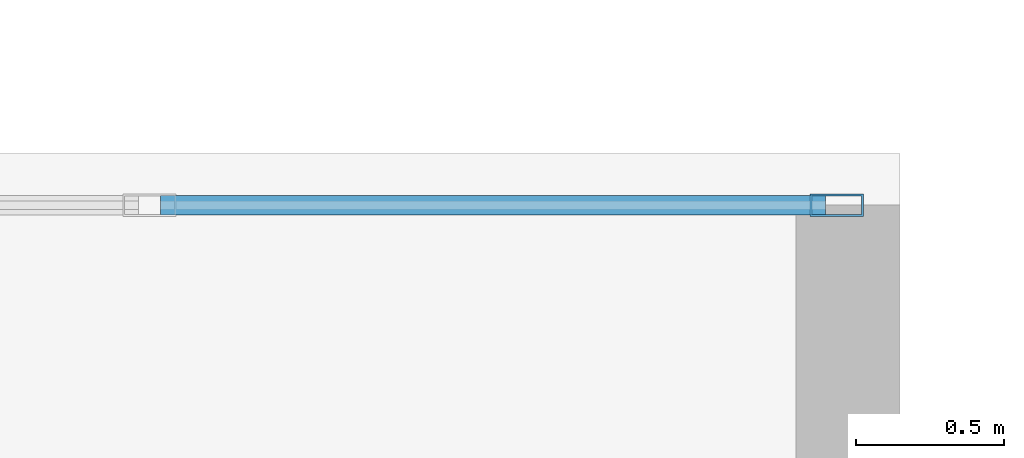
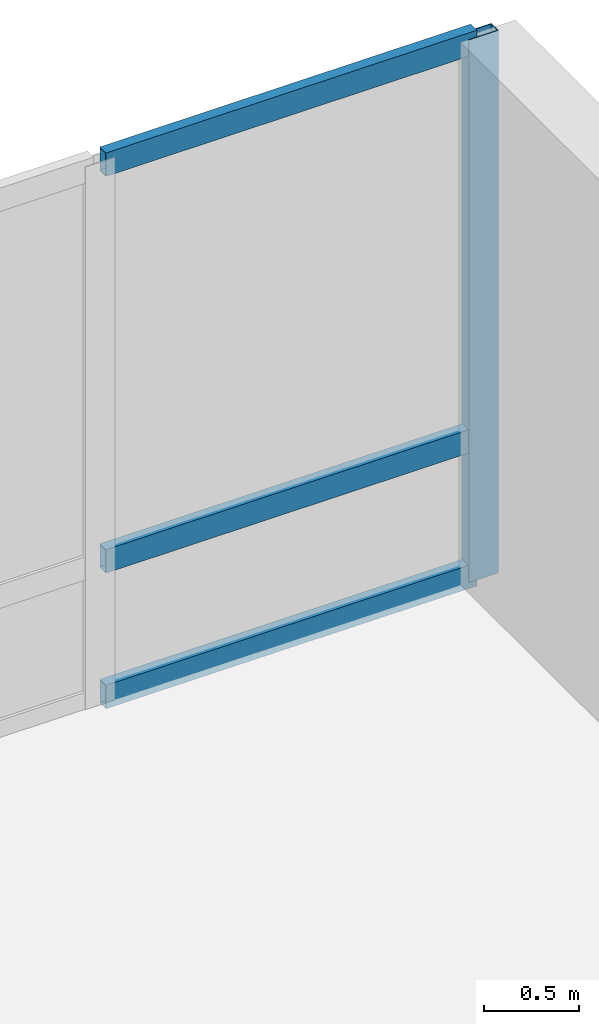
# One storey, part 4 of 17: 4 members, 1 element without a shape of its own.
"""IFC4 building model written with IfcOpenShell, lengths in metres."""

import ifcopenshell
import ifcopenshell.guid

model = None  # the IFC model being written
_history = None  # IfcOwnerHistory: only IFC2X3 demands one
_inside = {}  # id of a spatial element -> (the spatial element, [elements in it])
_under = {}  # id of a project, library or spatial element -> (it, [spatial elements below it])
_declared = {}  # id of a project -> (the project, [libraries it declares])
_typed = {}  # id of a type object -> (the type object, [elements of that type])
_made_of = {}  # id of a material, layer set ... -> (it, [elements and type objects made of it])


def new_model(schema):
    """Start an empty IFC model of exactly this schema.

    Asked for "IFC4X3", IfcOpenShell would pick the latest addendum, in which some entities
    have other attributes; the version numbers below select the first issue.
    IFC2X3 requires an IfcOwnerHistory on every rooted entity: one is made here for all.
    """
    global model, _history
    if schema == "IFC4X3":
        model = ifcopenshell.file(schema_version=(4, 3, 0, 0))
    else:
        model = ifcopenshell.file(schema=schema)
    _inside.clear()
    _under.clear()
    _declared.clear()
    _typed.clear()
    _made_of.clear()
    _history = None
    if model.schema == "IFC2X3":
        org = make("IfcOrganization", Name="unknown")
        user = make(
            "IfcPersonAndOrganization",
            ThePerson=make("IfcPerson", FamilyName="unknown"),
            TheOrganization=org,
        )
        app = make(
            "IfcApplication",
            ApplicationDeveloper=org,
            Version="unknown",
            ApplicationFullName="unknown",
            ApplicationIdentifier="unknown",
        )
        _history = make(
            "IfcOwnerHistory",
            OwningUser=user,
            OwningApplication=app,
            ChangeAction="ADDED",
            CreationDate=0,
        )
    return model


def make(cls, **values):
    """One entity of the class cls with the attributes given. An attribute that is None is left unset."""
    return model.create_entity(
        cls, **{name: value for name, value in values.items() if value is not None}
    )


def rooted(cls, **values):
    """An entity with a GlobalId (a new one), such as an element, a storey or a relation."""
    return make(cls, GlobalId=ifcopenshell.guid.new(), OwnerHistory=_history, **values)


def si_unit(unit_type, name, prefix=None):
    """IfcSIUnit, for example si_unit("LENGTHUNIT", "METRE", prefix="MILLI")."""
    return make("IfcSIUnit", UnitType=unit_type, Prefix=prefix, Name=name)


def assignment(units):
    """IfcUnitAssignment: the units of a project."""
    return None if units is None else make("IfcUnitAssignment", Units=units)


def point(xyz):
    """IfcCartesianPoint."""
    return None if xyz is None else make("IfcCartesianPoint", Coordinates=xyz)


def direction(xyz):
    """IfcDirection."""
    return None if xyz is None else make("IfcDirection", DirectionRatios=xyz)


def frame(location, z_axis=None, x_axis=None):
    """IfcAxis2Placement3D, a coordinate frame: its origin and axes. An axis left out is left unset."""
    return make(
        "IfcAxis2Placement3D",
        Location=point(location),
        Axis=direction(z_axis),
        RefDirection=direction(x_axis),
    )


def frame_2d(location, x_axis=None):
    """IfcAxis2Placement2D, a coordinate frame in the plane: its origin and x axis."""
    return make(
        "IfcAxis2Placement2D", Location=point(location), RefDirection=direction(x_axis)
    )


def origin():
    """The frame at (0, 0, 0) with its axes left unset."""
    return frame((0.0, 0.0, 0.0))


def origin_2d():
    """The frame at (0, 0) in the plane with its x axis left unset."""
    return frame_2d((0.0, 0.0))


def place(relative_to, where):
    """IfcLocalPlacement: puts the frame where relative to a parent placement (None: the world)."""
    return make(
        "IfcLocalPlacement", PlacementRelTo=relative_to, RelativePlacement=where
    )


def context(
    kind, dimensions, precision=None, world=None, true_north=None, identifier=None
):
    """IfcGeometricRepresentationContext, for example the 3D "Model" context."""
    return make(
        "IfcGeometricRepresentationContext",
        ContextIdentifier=identifier,
        ContextType=kind,
        CoordinateSpaceDimension=dimensions,
        Precision=precision,
        WorldCoordinateSystem=world,
        TrueNorth=true_north,
    )


def subcontext(parent, identifier, kind, view, scale=None):
    """IfcGeometricRepresentationSubContext, for example "Body" below "Model"."""
    return make(
        "IfcGeometricRepresentationSubContext",
        ContextIdentifier=identifier,
        ContextType=kind,
        ParentContext=parent,
        TargetScale=scale,
        TargetView=view,
    )


def project(units=None, contexts=None):
    """IfcProject with its units and contexts."""
    return rooted(
        "IfcProject",
        Name="project",
        RepresentationContexts=contexts,
        UnitsInContext=assignment(units),
    )


def spatial(cls, under=None, at=None, **own):
    """A site, building, storey or space (cls), placed at a placement, below another one or the project."""
    s = rooted(cls, ObjectPlacement=at, **own)
    if under is not None:
        _under.setdefault(under.id(), (under, []))[1].append(s)
    return s


def profile(cls, at=None, kind="AREA", **sizes):
    """A parametric profile (cls). Its sizes go by their IFC names, for example OverallWidth=200.0."""
    return make(cls, ProfileType=kind, Position=at, **sizes)


def hollow_rectangle(**sizes):
    """IfcRectangleHollowProfileDef."""
    return profile("IfcRectangleHollowProfileDef", **sizes)


def extrude(swept, where, along, depth):
    """IfcExtrudedAreaSolid: the profile swept, set in the frame where, extruded along a direction by depth."""
    return make(
        "IfcExtrudedAreaSolid",
        SweptArea=swept,
        Position=where,
        ExtrudedDirection=direction(along),
        Depth=depth,
    )


def shape(context_of_items, identifier, shape_type, items):
    """IfcShapeRepresentation: the items that make up one representation, for example the "Body"."""
    return make(
        "IfcShapeRepresentation",
        ContextOfItems=context_of_items,
        RepresentationIdentifier=identifier,
        RepresentationType=shape_type,
        Items=items,
    )


def material(Name=None, Category=None):
    """IfcMaterial."""
    return make("IfcMaterial", Name=Name, Category=Category)


def layer(
    of_material, thickness, ventilated=None, Name=None, Category=None, Priority=None
):
    """IfcMaterialLayer: one layer of a wall or slab, of a material (None: an air gap)."""
    return make(
        "IfcMaterialLayer",
        Material=of_material,
        LayerThickness=thickness,
        IsVentilated=ventilated,
        Name=Name,
        Category=Category,
        Priority=Priority,
    )


def layer_set(layers, Name=None):
    """IfcMaterialLayerSet."""
    return make("IfcMaterialLayerSet", MaterialLayers=layers, LayerSetName=Name)


def material_profile(
    of_material, cross_section, Name=None, Category=None, Priority=None
):
    """IfcMaterialProfile: a cross section and its material."""
    return make(
        "IfcMaterialProfile",
        Name=Name,
        Material=of_material,
        Profile=cross_section,
        Priority=Priority,
        Category=Category,
    )


def profile_set(profiles, Name=None, composite=None):
    """IfcMaterialProfileSet."""
    return make(
        "IfcMaterialProfileSet",
        Name=Name,
        MaterialProfiles=profiles,
        CompositeProfile=composite,
    )


def made_of(thing, what):
    """Note that an element or type object is made of a material, layer set ...; save() writes the relation."""
    if what is not None:
        _made_of.setdefault(what.id(), (what, []))[1].append(thing)
    return thing


def type_object(cls, material=None, **own):
    """A type object (cls), such as IfcWallType, which elements share."""
    return made_of(rooted(cls, **own), material)


def element(
    cls,
    number,
    at=None,
    inside=None,
    cuts=None,
    type_object=None,
    material=None,
    context=None,
    identifier="Body",
    shape_type=None,
    held_by="IfcProductDefinitionShape",
    body=None,
    shapes=None,
    **own,
):
    """One element of the class cls, such as IfcWall. Its Tag is "e" and its number.

    at: its placement. inside: the storey or other place that contains it. cuts: it is an
    opening in that element (IfcRelVoidsElement). A single representation is given by context,
    identifier, shape_type and body (its items); several are given by shapes. held_by: the class
    of the entity that holds the representations. save() writes the other relations.
    """
    e = rooted(cls, Tag="e%d" % number, ObjectPlacement=at, **own)
    if body is not None:
        shapes = [shape(context, identifier, shape_type, body)]
    if shapes is not None:
        e.Representation = make(held_by, Representations=shapes)
    if inside is not None:
        _inside.setdefault(inside.id(), (inside, []))[1].append(e)
    if cuts is not None:
        rooted(
            "IfcRelVoidsElement", RelatingBuildingElement=cuts, RelatedOpeningElement=e
        )
    if type_object is not None:
        _typed.setdefault(type_object.id(), (type_object, []))[1].append(e)
    return made_of(e, material)


def aggregate(whole, parts):
    """IfcRelAggregates: a whole, such as a stair, and the parts it consists of."""
    return rooted("IfcRelAggregates", RelatingObject=whole, RelatedObjects=parts)


def save(model, path):
    """Write the relations noted so far, then the file.

    IfcRelAggregates (storeys below a building ...), IfcRelContainedInSpatialStructure (elements
    in a storey), IfcRelDefinesByType, IfcRelAssociatesMaterial and IfcRelDeclares: one each for
    every whole, place, type object, material and project.
    """
    for whole, parts in _under.values():
        aggregate(whole, parts)
    for where, things in _inside.values():
        rooted(
            "IfcRelContainedInSpatialStructure",
            RelatedElements=things,
            RelatingStructure=where,
        )
    for kind, things in _typed.values():
        rooted("IfcRelDefinesByType", RelatedObjects=things, RelatingType=kind)
    for what, things in _made_of.values():
        rooted("IfcRelAssociatesMaterial", RelatedObjects=things, RelatingMaterial=what)
    for by, libraries in _declared.values():
        rooted("IfcRelDeclares", RelatingContext=by, RelatedDefinitions=libraries)
    model.write(path)


model = new_model("IFC4")

# Units and contexts
model_context = context("Model", 3, precision=1e-05, world=origin(), true_north=direction((0.0, 1.0)))
body_context = subcontext(model_context, "Body", "Model", "MODEL_VIEW")
ifc_project = project(units=[si_unit("LENGTHUNIT", "METRE"), si_unit("AREAUNIT", "SQUARE_METRE"), si_unit("VOLUMEUNIT", "CUBIC_METRE"), si_unit("PLANEANGLEUNIT", "RADIAN"), si_unit("MASSUNIT", "GRAM", prefix="KILO")], contexts=[model_context])

# Site, building, storey
site_placement = place(None, origin())
site = spatial("IfcSite", under=ifc_project, at=site_placement, CompositionType="ELEMENT")
building_placement = place(site_placement, origin())
building = spatial("IfcBuilding", under=site, at=building_placement, Name="Koriwani Terraces Tower", CompositionType="ELEMENT")
storey_placement = place(building_placement, frame((0.0, 0.0, 237.89990234375)))
storey = spatial("IfcBuildingStorey", under=building, at=storey_placement, Name="L58", CompositionType="ELEMENT", Elevation=237.89990234375)

# Curtain wall, members
ifc_material = material(Name="Anodised Bronze Aluminium", Category="aluminium")
ifc_layer = layer(ifc_material, 0.169921875, Name="Anodised Bronze Aluminium")
ifc_layer_set = layer_set([ifc_layer], Name="Anodised Bronze Aluminium")
curtain_wall_type = type_object("IfcCurtainWallType", Name="CW_RES_ZONE4", PredefinedType="NOTDEFINED", material=ifc_layer_set)
curtain_wall_placement = place(storey_placement, origin())
curtain_wall = element("IfcCurtainWall", 1, at=curtain_wall_placement, inside=storey, type_object=curtain_wall_type, Name="L58 Unitised Curtain Wall (N_TIP) Bay 3", PredefinedType="NOTDEFINED")
ifc_material_profile_1 = material_profile(ifc_material, hollow_rectangle(XDim=0.074951171875, YDim=0.179931640625, WallThickness=0.006103515625, at=origin_2d()), Name="Anodised Bronze Aluminium", Category="LoadBearing")
ifc_profile_set_1 = profile_set([ifc_material_profile_1], Name="Anodised Bronze Aluminium")
member_type_1 = type_object("IfcMemberType", Name="CW_MULLION_180X75", PredefinedType="MULLION", material=ifc_profile_set_1)
member_1_placement = place(storey_placement, frame((30.387451171875, 75.425048828125, 0.0), z_axis=(0.0, 0.0, 1.0), x_axis=(0.0, 1.0, 0.0)))
member_1 = element("IfcMember", 2, at=member_1_placement, type_object=member_type_1, Name="CW-Z4 mullion 3", PredefinedType="MULLION", context=body_context, shape_type="SweptSolid", body=[
    extrude(hollow_rectangle(XDim=0.074951171875, YDim=0.179931640625, WallThickness=0.006103515625, at=origin_2d()), origin(), (0.0, 0.0, 1.0), 3.47021484375),
])
ifc_material_profile_2 = material_profile(ifc_material, hollow_rectangle(XDim=0.06494140625, YDim=0.14990234375, WallThickness=0.0048828125, at=origin_2d()), Name="Anodised Bronze Aluminium", Category="LoadBearing")
ifc_profile_set_2 = profile_set([ifc_material_profile_2], Name="Anodised Bronze Aluminium")
member_type_2 = type_object("IfcMemberType", Name="CW_TRANSOM_150X65", PredefinedType="USERDEFINED", material=ifc_profile_set_2)
member_2_placement = place(storey_placement, frame((28.10498046875, 75.425048828125, 0.03271484375), z_axis=(1.0, 0.0, 0.0), x_axis=(0.0, 1.0, 0.0)))
member_2 = element("IfcMember", 3, at=member_2_placement, type_object=member_type_2, Name="CW-Z4 transom 2.1", ObjectType="TRANSOM", PredefinedType="USERDEFINED", context=body_context, shape_type="SweptSolid", body=[
    extrude(hollow_rectangle(XDim=0.06494140625, YDim=0.14990234375, WallThickness=0.0048828125, at=origin_2d()), origin(), (0.0, 0.0, 1.0), 2.2451171875),
])
member_3_placement = place(storey_placement, frame((28.10498046875, 75.425048828125, 0.900146484375), z_axis=(1.0, 0.0, 0.0), x_axis=(0.0, 1.0, 0.0)))
member_3 = element("IfcMember", 4, at=member_3_placement, type_object=member_type_2, Name="CW-Z4 transom 2.2", ObjectType="TRANSOM", PredefinedType="USERDEFINED", context=body_context, shape_type="SweptSolid", body=[
    extrude(hollow_rectangle(XDim=0.06494140625, YDim=0.14990234375, WallThickness=0.0048828125, at=origin_2d()), origin(), (0.0, 0.0, 1.0), 2.2451171875),
])
member_4_placement = place(storey_placement, frame((28.10498046875, 75.425048828125, 3.4375), z_axis=(1.0, 0.0, 0.0), x_axis=(0.0, 1.0, 0.0)))
member_4 = element("IfcMember", 5, at=member_4_placement, type_object=member_type_2, Name="CW-Z4 transom 2.3", ObjectType="TRANSOM", PredefinedType="USERDEFINED", context=body_context, shape_type="SweptSolid", body=[
    extrude(hollow_rectangle(XDim=0.06494140625, YDim=0.14990234375, WallThickness=0.0048828125, at=origin_2d()), origin(), (0.0, 0.0, 1.0), 2.2451171875),
])
aggregate(curtain_wall, [member_1, member_2, member_3, member_4])

save(model, "model.ifc")
